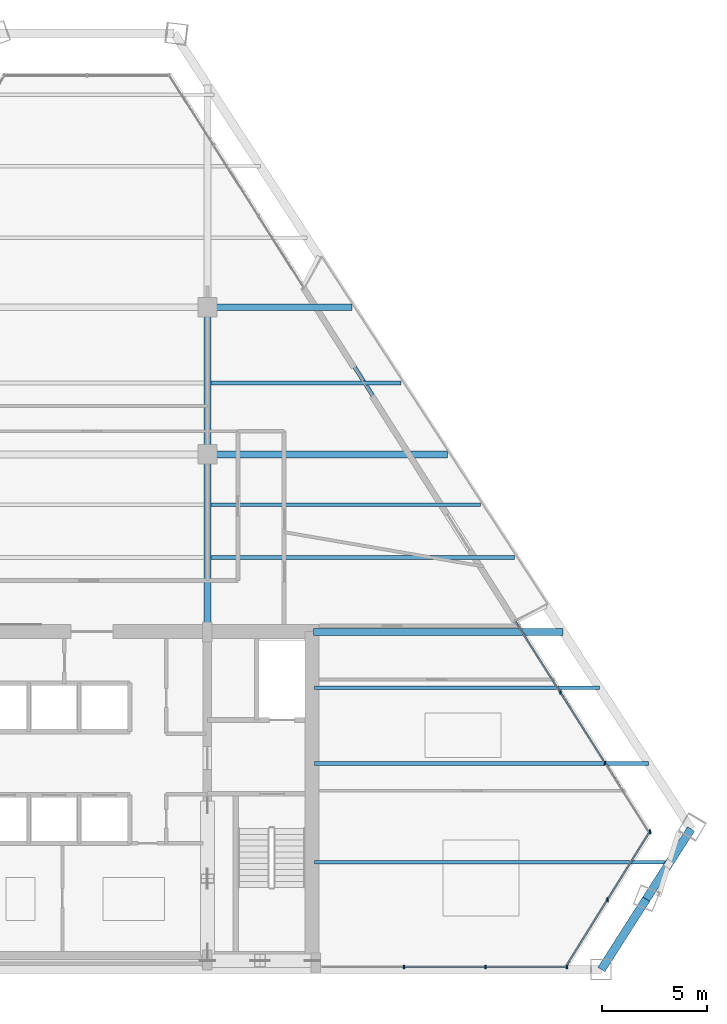
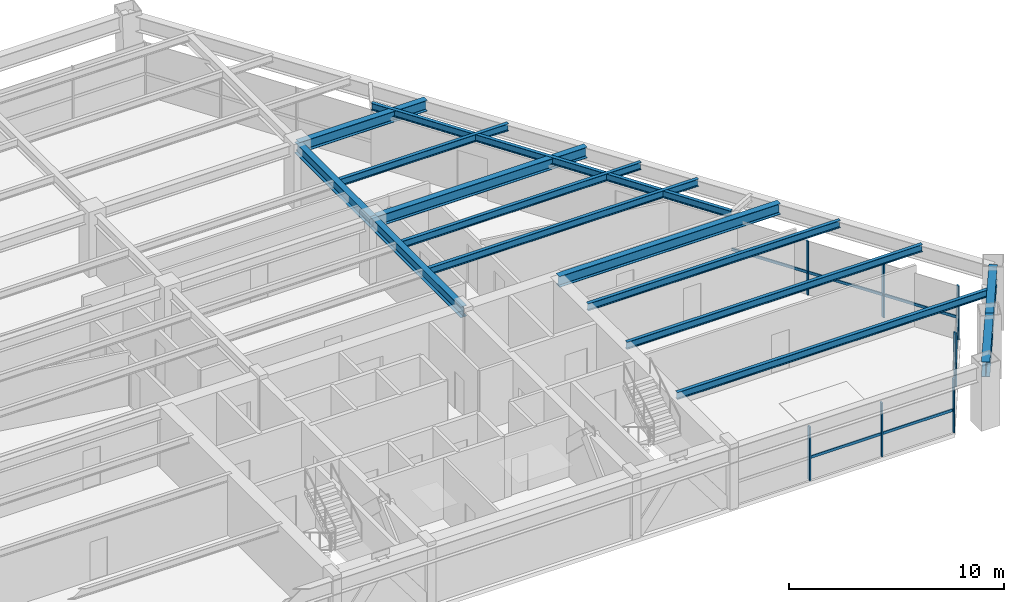
# One storey, part 6 of 15: 14 beams, 14 members, 3 elements without a shape of their own.
"""IFC4 building model written with IfcOpenShell, lengths in metres."""

from ifc_helpers import new_model, si_unit, direction, frame, origin, origin_2d, place, context, subcontext, project, spatial, rectangle, i_section, extrude, source, transform, mapped, material, material_profile, profile_set, type_object, type_shapes, element, aggregate, save


model = new_model("IFC4")

# Units and contexts
model_context = context("Model", 3, precision=1e-05, world=origin(), true_north=direction((0.0, 1.0)))
body_context = subcontext(model_context, "Body", "Model", "MODEL_VIEW")
ifc_project = project(units=[si_unit("LENGTHUNIT", "METRE"), si_unit("AREAUNIT", "SQUARE_METRE"), si_unit("VOLUMEUNIT", "CUBIC_METRE"), si_unit("PLANEANGLEUNIT", "RADIAN"), si_unit("MASSUNIT", "GRAM", prefix="KILO")], contexts=[model_context])

# Site, building, storey
site_placement = place(None, origin())
site = spatial("IfcSite", under=ifc_project, at=site_placement, CompositionType="ELEMENT")
building_placement = place(site_placement, origin())
building = spatial("IfcBuilding", under=site, at=building_placement, Name="Varnakhor Terracotta Tower", CompositionType="ELEMENT")
storey_placement = place(building_placement, frame((0.0, 0.0, 182.10009765625)))
storey = spatial("IfcBuildingStorey", under=building, at=storey_placement, Name="L46", CompositionType="ELEMENT", Elevation=182.10009765625)

# Beams
ifc_material_1 = material(Name="Steel S355", Category="steel")
ifc_material_profile_1 = material_profile(ifc_material_1, i_section(OverallWidth=0.324951171875, OverallDepth=0.615966796875, WebThickness=0.013916015625, FlangeThickness=0.02197265625, FilletRadius=0.01806640625, at=origin_2d()), Name="W24X117")
ifc_profile_set_1 = profile_set([ifc_material_profile_1], Name="Steel S355")
beam_type_1 = type_object("IfcBeamType", Name="BM-W24X117", PredefinedType="BEAM", material=ifc_profile_set_1)
shared_shape_1 = source(origin(), body_context, "Body", "SweptSolid", [
    extrude(i_section(OverallWidth=0.324951171875, OverallDepth=0.615966796875, WebThickness=0.013916015625, FlangeThickness=0.02197265625, FilletRadius=0.01806640625, at=origin_2d()), origin(), (0.0, 0.0, 1.0), 8.449951171875),
])
type_shapes(beam_type_1, [shared_shape_1])
beam_1_placement = place(storey_placement, frame((5.5, 16.050048828125, 3.161865234375), z_axis=(0.0, 1.0, 0.0), x_axis=(-1.0, 0.0, 0.0)))
element("IfcBeam", 1, at=beam_1_placement, inside=storey, type_object=beam_type_1, Name="L46 Primary Girder NS1-E", PredefinedType="BEAM", context=body_context, shape_type="MappedRepresentation", body=[
    mapped(shared_shape_1, transform((0.0, 0.0, 0.0), scale=1.0)),
])
shared_shape_2 = source(origin(), body_context, "Body", "SweptSolid", [
    extrude(i_section(OverallWidth=0.324951171875, OverallDepth=0.615966796875, WebThickness=0.013916015625, FlangeThickness=0.02197265625, FilletRadius=0.01806640625, at=origin_2d()), origin(), (0.0, 0.0, 1.0), 7.0),
])
beam_2_placement = place(storey_placement, frame((5.5, 24.5, 3.161865234375), z_axis=(0.0, 1.0, 0.0), x_axis=(-1.0, 0.0, 0.0)))
element("IfcBeam", 2, at=beam_2_placement, inside=storey, type_object=beam_type_1, Name="L46 Primary Girder NS2-E", PredefinedType="BEAM", context=body_context, shape_type="MappedRepresentation", body=[
    mapped(shared_shape_2, transform((0.0, 0.0, 0.0), scale=1.0)),
])
ifc_material_profile_2 = material_profile(ifc_material_1, i_section(OverallWidth=0.39990234375, OverallDepth=0.85498046875, WebThickness=0.01806640625, FlangeThickness=0.029052734375, FilletRadius=0.01806640625, at=origin_2d()), Name="W33X201")
ifc_profile_set_2 = profile_set([ifc_material_profile_2], Name="Steel S355")
beam_type_2 = type_object("IfcBeamType", Name="BM-W33X201", PredefinedType="BEAM", material=ifc_profile_set_2)
shared_shape_3 = source(origin(), body_context, "Body", "SweptSolid", [
    extrude(i_section(OverallWidth=0.39990234375, OverallDepth=0.85498046875, WebThickness=0.01806640625, FlangeThickness=0.029052734375, FilletRadius=0.01806640625, at=origin_2d()), origin(), (0.0, 0.0, 1.0), 3.96484375),
])
beam_3_placement = place(storey_placement, frame((24.23779296875, 0.0, 3.04248046875), z_axis=(0.5376323159, 0.843179395443, 0.0), x_axis=(-0.843179395443, 0.5376323159, 0.0)))
element("IfcBeam", 3, at=beam_3_placement, inside=storey, type_object=beam_type_2, Name="L46 Perimeter Spandrel 2", PredefinedType="BEAM", context=body_context, shape_type="MappedRepresentation", body=[
    mapped(shared_shape_3, transform((0.0, 0.0, 0.0), scale=1.0)),
])
shared_shape_4 = source(origin(), body_context, "Body", "SweptSolid", [
    extrude(i_section(OverallWidth=0.39990234375, OverallDepth=0.85498046875, WebThickness=0.01806640625, FlangeThickness=0.029052734375, FilletRadius=0.01806640625, at=origin_2d()), origin(), (0.0, 0.0, 1.0), 3.965087890625),
])
beam_4_placement = place(storey_placement, frame((26.369384765625, 3.343017578125, 3.04248046875), z_axis=(0.537648178704, 0.843169280712, 0.0), x_axis=(-0.843169280712, 0.537648178704, 0.0)))
element("IfcBeam", 4, at=beam_4_placement, inside=storey, type_object=beam_type_2, Name="L46 Perimeter Spandrel 3", PredefinedType="BEAM", context=body_context, shape_type="MappedRepresentation", body=[
    mapped(shared_shape_4, transform((0.0, 0.0, 0.0), scale=1.0)),
])
ifc_material_profile_3 = material_profile(ifc_material_1, i_section(OverallWidth=0.179931640625, OverallDepth=0.39990234375, WebThickness=0.008544921875, FlangeThickness=0.013427734375, FilletRadius=0.01806640625, at=origin_2d()), Name="IPE400")
ifc_profile_set_3 = profile_set([ifc_material_profile_3], Name="Steel S355")
beam_type_3 = type_object("IfcBeamType", Name="JST-IPE400", PredefinedType="JOIST", material=ifc_profile_set_3)
shared_shape_5 = source(origin(), body_context, "Body", "SweptSolid", [
    extrude(i_section(OverallWidth=0.179931640625, OverallDepth=0.39990234375, WebThickness=0.008544921875, FlangeThickness=0.013427734375, FilletRadius=0.01806640625, at=origin_2d()), origin(), (0.0, 0.0, 1.0), 18.87548828125),
])
beam_5_placement = place(storey_placement, frame((20.161865234375, 16.551513671875, 3.27001953125), z_axis=(-0.535132700445, 0.844768011299, 0.0), x_axis=(-0.844768011299, -0.535132700445, 0.0)))
element("IfcBeam", 5, at=beam_5_placement, inside=storey, type_object=beam_type_3, Name="L46 Loggia Edge Beam 1", PredefinedType="JOIST", context=body_context, shape_type="MappedRepresentation", body=[
    mapped(shared_shape_5, transform((0.0, 0.0, 0.0), scale=1.0)),
])
shared_shape_6 = source(origin(), body_context, "Body", "SweptSolid", [
    extrude(i_section(OverallWidth=0.324951171875, OverallDepth=0.615966796875, WebThickness=0.013916015625, FlangeThickness=0.02197265625, FilletRadius=0.01806640625, at=origin_2d()), origin(), (0.0, 0.0, 1.0), 11.86572265625),
])
beam_6_placement = place(storey_placement, frame((10.550048828125, 16.050048828125, 3.161865234375), z_axis=(1.0, 0.0, 0.0), x_axis=(0.0, 1.0, 0.0)))
element("IfcBeam", 6, at=beam_6_placement, inside=storey, type_object=beam_type_1, Name="L46 Wing Girder E", PredefinedType="BEAM", context=body_context, shape_type="MappedRepresentation", body=[
    mapped(shared_shape_6, transform((0.0, 0.0, 0.0), scale=1.0)),
])
shared_shape_7 = source(origin(), body_context, "Body", "SweptSolid", [
    extrude(i_section(OverallWidth=0.324951171875, OverallDepth=0.615966796875, WebThickness=0.013916015625, FlangeThickness=0.02197265625, FilletRadius=0.01806640625, at=origin_2d()), origin(), (0.0, 0.0, 1.0), 11.42431640625),
])
beam_7_placement = place(storey_placement, frame((5.5, 24.5, 3.161865234375), z_axis=(1.0, 0.0, 0.0), x_axis=(0.0, 1.0, 0.0)))
element("IfcBeam", 7, at=beam_7_placement, inside=storey, type_object=beam_type_1, Name="L46 Primary Girder EW2-3", PredefinedType="BEAM", context=body_context, shape_type="MappedRepresentation", body=[
    mapped(shared_shape_7, transform((0.0, 0.0, 0.0), scale=1.0)),
])
shared_shape_8 = source(origin(), body_context, "Body", "SweptSolid", [
    extrude(i_section(OverallWidth=0.324951171875, OverallDepth=0.615966796875, WebThickness=0.013916015625, FlangeThickness=0.02197265625, FilletRadius=0.01806640625, at=origin_2d()), origin(), (0.0, 0.0, 1.0), 6.875),
])
beam_8_placement = place(storey_placement, frame((5.5, 31.5, 3.161865234375), z_axis=(1.0, 0.0, 0.0), x_axis=(0.0, 1.0, 0.0)))
element("IfcBeam", 8, at=beam_8_placement, inside=storey, type_object=beam_type_1, Name="L46 Primary Girder EW3-3", PredefinedType="BEAM", context=body_context, shape_type="MappedRepresentation", body=[
    mapped(shared_shape_8, transform((0.0, 0.0, 0.0), scale=1.0)),
])
ifc_material_profile_4 = material_profile(ifc_material_1, i_section(OverallWidth=0.179931640625, OverallDepth=0.4130859375, WebThickness=0.009765625, FlangeThickness=0.01611328125, FilletRadius=0.01806640625, at=origin_2d()), Name="W16X50")
ifc_profile_set_4 = profile_set([ifc_material_profile_4], Name="Steel S355")
beam_type_4 = type_object("IfcBeamType", Name="JST-W16X50", PredefinedType="JOIST", material=ifc_profile_set_4)
shared_shape_9 = source(origin(), body_context, "Body", "SweptSolid", [
    extrude(i_section(OverallWidth=0.179931640625, OverallDepth=0.4130859375, WebThickness=0.009765625, FlangeThickness=0.01611328125, FilletRadius=0.01806640625, at=origin_2d()), origin(), (0.0, 0.0, 1.0), 16.8896484375),
])
beam_9_placement = place(storey_placement, frame((10.60009765625, 5.10009765625, 3.263427734375), z_axis=(1.0, 0.0, 0.0), x_axis=(0.0, 1.0, 0.0)))
element("IfcBeam", 9, at=beam_9_placement, inside=storey, type_object=beam_type_4, Name="L46 Floor Joist E1", PredefinedType="JOIST", context=body_context, shape_type="MappedRepresentation", body=[
    mapped(shared_shape_9, transform((0.0, 0.0, 0.0), scale=1.0)),
])
shared_shape_10 = source(origin(), body_context, "Body", "SweptSolid", [
    extrude(i_section(OverallWidth=0.179931640625, OverallDepth=0.4130859375, WebThickness=0.009765625, FlangeThickness=0.01611328125, FilletRadius=0.01806640625, at=origin_2d()), origin(), (0.0, 0.0, 1.0), 15.87744140625),
])
beam_10_placement = place(storey_placement, frame((10.60009765625, 9.800048828125, 3.263427734375), z_axis=(1.0, 0.0, 0.0), x_axis=(0.0, 1.0, 0.0)))
element("IfcBeam", 10, at=beam_10_placement, inside=storey, type_object=beam_type_4, Name="L46 Floor Joist E2", PredefinedType="JOIST", context=body_context, shape_type="MappedRepresentation", body=[
    mapped(shared_shape_10, transform((0.0, 0.0, 0.0), scale=1.0)),
])
shared_shape_11 = source(origin(), body_context, "Body", "SweptSolid", [
    extrude(i_section(OverallWidth=0.179931640625, OverallDepth=0.4130859375, WebThickness=0.009765625, FlangeThickness=0.01611328125, FilletRadius=0.01806640625, at=origin_2d()), origin(), (0.0, 0.0, 1.0), 13.537841796875),
])
beam_11_placement = place(storey_placement, frame((10.60009765625, 13.39990234375, 3.263427734375), z_axis=(1.0, 0.0, 0.0), x_axis=(0.0, 1.0, 0.0)))
element("IfcBeam", 11, at=beam_11_placement, inside=storey, type_object=beam_type_4, Name="L46 Floor Joist E3", PredefinedType="JOIST", context=body_context, shape_type="MappedRepresentation", body=[
    mapped(shared_shape_11, transform((0.0, 0.0, 0.0), scale=1.0)),
])
shared_shape_12 = source(origin(), body_context, "Body", "SweptSolid", [
    extrude(i_section(OverallWidth=0.179931640625, OverallDepth=0.4130859375, WebThickness=0.009765625, FlangeThickness=0.01611328125, FilletRadius=0.01806640625, at=origin_2d()), origin(), (0.0, 0.0, 1.0), 14.4501953125),
])
beam_12_placement = place(storey_placement, frame((5.658447265625, 19.60009765625, 3.263427734375), z_axis=(1.0, 0.0, 0.0), x_axis=(0.0, 1.0, 0.0)))
element("IfcBeam", 12, at=beam_12_placement, inside=storey, type_object=beam_type_4, Name="L46 Composite Floor Joist 4-3", PredefinedType="JOIST", context=body_context, shape_type="MappedRepresentation", body=[
    mapped(shared_shape_12, transform((0.0, 0.0, 0.0), scale=1.0)),
])
shared_shape_13 = source(origin(), body_context, "Body", "SweptSolid", [
    extrude(i_section(OverallWidth=0.179931640625, OverallDepth=0.4130859375, WebThickness=0.009765625, FlangeThickness=0.01611328125, FilletRadius=0.01806640625, at=origin_2d()), origin(), (0.0, 0.0, 1.0), 12.825439453125),
])
beam_13_placement = place(storey_placement, frame((5.658447265625, 22.10009765625, 3.263427734375), z_axis=(1.0, 0.0, 0.0), x_axis=(0.0, 1.0, 0.0)))
element("IfcBeam", 13, at=beam_13_placement, inside=storey, type_object=beam_type_4, Name="L46 Composite Floor Joist 5-3", PredefinedType="JOIST", context=body_context, shape_type="MappedRepresentation", body=[
    mapped(shared_shape_13, transform((0.0, 0.0, 0.0), scale=1.0)),
])
shared_shape_14 = source(origin(), body_context, "Body", "SweptSolid", [
    extrude(i_section(OverallWidth=0.179931640625, OverallDepth=0.4130859375, WebThickness=0.009765625, FlangeThickness=0.01611328125, FilletRadius=0.01806640625, at=origin_2d()), origin(), (0.0, 0.0, 1.0), 9.05615234375),
])
beam_14_placement = place(storey_placement, frame((5.658447265625, 27.89990234375, 3.263427734375), z_axis=(1.0, 0.0, 0.0), x_axis=(0.0, 1.0, 0.0)))
element("IfcBeam", 14, at=beam_14_placement, inside=storey, type_object=beam_type_4, Name="L46 Composite Floor Joist 6-3", PredefinedType="JOIST", context=body_context, shape_type="MappedRepresentation", body=[
    mapped(shared_shape_14, transform((0.0, 0.0, 0.0), scale=1.0)),
])

# Curtain wall, members
ifc_material_2 = material(Name="Anodised Aluminium Curtain Wall System", Category="aluminium")
curtain_wall_type = type_object("IfcCurtainWallType", Name="CW-SYS-MID-OFFICE", PredefinedType="NOTDEFINED", material=ifc_material_2)
curtain_wall_1_placement = place(storey_placement, origin())
curtain_wall_1 = element("IfcCurtainWall", 15, at=curtain_wall_1_placement, inside=storey, type_object=curtain_wall_type, Name="L46 E Facet Curtain Wall 2", PredefinedType="NOTDEFINED")
ifc_material_3 = material(Name="Anodised Aluminium 6063-T6", Category="aluminium")
ifc_material_profile_5 = material_profile(ifc_material_3, rectangle(XDim=0.070068359375, YDim=0.175048828125, at=origin_2d()), Name="ALU MULLION 70x175")
ifc_profile_set_5 = profile_set([ifc_material_profile_5], Name="Anodised Aluminium 6063-T6")
member_type_1 = type_object("IfcMemberType", Name="CWM-03", PredefinedType="MULLION", material=ifc_profile_set_5)
shared_shape_15 = source(origin(), body_context, "Body", "SweptSolid", [
    extrude(rectangle(XDim=0.070068359375, YDim=0.175048828125, at=origin_2d()), origin(), (0.0, 0.0, 1.0), 3.0498046875),
])
type_shapes(member_type_1, [shared_shape_15])
member_1_placement = place(storey_placement, frame((22.28759765625, 13.17919921875, 0.0), z_axis=(0.0, 0.0, 1.0), x_axis=(1.0, 0.0, 0.0)))
member_1 = element("IfcMember", 16, at=member_1_placement, type_object=member_type_1, Name="L46 E Facet Curtain Wall 2 Mullion 2", PredefinedType="MULLION", context=body_context, shape_type="MappedRepresentation", body=[
    mapped(shared_shape_15, transform((0.0, 0.0, 0.0), scale=1.0)),
])
member_2_placement = place(storey_placement, frame((24.413818359375, 9.82470703125, 0.0), z_axis=(0.0, 0.0, 1.0), x_axis=(1.0, 0.0, 0.0)))
member_2 = element("IfcMember", 17, at=member_2_placement, type_object=member_type_1, Name="L46 E Facet Curtain Wall 2 Mullion 3", PredefinedType="MULLION", context=body_context, shape_type="MappedRepresentation", body=[
    mapped(shared_shape_15, transform((0.0, 0.0, 0.0), scale=1.0)),
])

curtain_wall_2_placement = place(storey_placement, origin())
curtain_wall_2 = element("IfcCurtainWall", 18, at=curtain_wall_2_placement, inside=storey, type_object=curtain_wall_type, Name="L46 Facet Curtain Wall 4", PredefinedType="NOTDEFINED")
member_3_placement = place(storey_placement, frame((26.539794921875, 6.547119140625, 0.0), z_axis=(0.0, 0.0, 1.0), x_axis=(1.0, 0.0, 0.0)))
member_3 = element("IfcMember", 19, at=member_3_placement, type_object=member_type_1, Name="L46 Facet Curtain Wall 4 Mullion 1", PredefinedType="MULLION", context=body_context, shape_type="MappedRepresentation", body=[
    mapped(shared_shape_15, transform((0.0, 0.0, 0.0), scale=1.0)),
])
member_4_placement = place(storey_placement, frame((24.52783203125, 3.318115234375, 0.0), z_axis=(0.0, 0.0, 1.0), x_axis=(1.0, 0.0, 0.0)))
member_4 = element("IfcMember", 20, at=member_4_placement, type_object=member_type_1, Name="L46 Facet Curtain Wall 4 Mullion 2", PredefinedType="MULLION", context=body_context, shape_type="MappedRepresentation", body=[
    mapped(shared_shape_15, transform((0.0, 0.0, 0.0), scale=1.0)),
])

curtain_wall_3_placement = place(storey_placement, origin())
curtain_wall_3 = element("IfcCurtainWall", 21, at=curtain_wall_3_placement, inside=storey, type_object=curtain_wall_type, Name="L46 South Wing Curtain Wall SSE", PredefinedType="NOTDEFINED")
member_5_placement = place(storey_placement, frame((22.591552734375, 0.1201171875, 0.0), z_axis=(0.0, 0.0, 1.0), x_axis=(1.0, 0.0, 0.0)))
member_5 = element("IfcMember", 22, at=member_5_placement, type_object=member_type_1, Name="L46 South Wing Curtain Wall SSE Mullion 1", PredefinedType="MULLION", context=body_context, shape_type="MappedRepresentation", body=[
    mapped(shared_shape_15, transform((0.0, 0.0, 0.0), scale=1.0)),
])
member_6_placement = place(storey_placement, frame((18.7177734375, 0.1201171875, 0.0), z_axis=(0.0, 0.0, 1.0), x_axis=(1.0, 0.0, 0.0)))
member_6 = element("IfcMember", 23, at=member_6_placement, type_object=member_type_1, Name="L46 South Wing Curtain Wall SSE Mullion 2", PredefinedType="MULLION", context=body_context, shape_type="MappedRepresentation", body=[
    mapped(shared_shape_15, transform((0.0, 0.0, 0.0), scale=1.0)),
])
member_7_placement = place(storey_placement, frame((14.843994140625, 0.1201171875, 0.0), z_axis=(0.0, 0.0, 1.0), x_axis=(1.0, 0.0, 0.0)))
member_7 = element("IfcMember", 24, at=member_7_placement, type_object=member_type_1, Name="L46 South Wing Curtain Wall SSE Mullion 3", PredefinedType="MULLION", context=body_context, shape_type="MappedRepresentation", body=[
    mapped(shared_shape_15, transform((0.0, 0.0, 0.0), scale=1.0)),
])

# Member
ifc_material_profile_6 = material_profile(ifc_material_3, rectangle(XDim=0.070068359375, YDim=0.155029296875, at=origin_2d()), Name="ALU TRANSOM 70x155")
ifc_profile_set_6 = profile_set([ifc_material_profile_6], Name="Anodised Aluminium 6063-T6")
member_type_2 = type_object("IfcMemberType", Name="CWT-03", PredefinedType="USERDEFINED", material=ifc_profile_set_6)
shared_shape_16 = source(origin(), body_context, "Body", "SweptSolid", [
    extrude(rectangle(XDim=0.070068359375, YDim=0.155029296875, at=origin_2d()), origin(), (0.0, 0.0, 1.0), 3.9716796875),
])
member_8_placement = place(storey_placement, frame((20.161376953125, 16.533935546875, 1.281005859375), z_axis=(0.535331366733, -0.844642130012, 0.0), x_axis=(0.844642130012, 0.535331366733, 0.0)))
member_8 = element("IfcMember", 25, at=member_8_placement, type_object=member_type_2, Name="L46 E Facet Curtain Wall 2 Transom 1", ObjectType="TRANSOM", PredefinedType="USERDEFINED", context=body_context, shape_type="MappedRepresentation", body=[
    mapped(shared_shape_16, transform((0.0, 0.0, 0.0), scale=1.0)),
])

member_9_placement = place(storey_placement, frame((22.28759765625, 13.17919921875, 1.281005859375), z_axis=(0.535359161808, -0.844624512945, 0.0), x_axis=(0.844624512945, 0.535359161808, 0.0)))
member_9 = element("IfcMember", 26, at=member_9_placement, type_object=member_type_2, Name="L46 E Facet Curtain Wall 2 Transom 2", ObjectType="TRANSOM", PredefinedType="USERDEFINED", context=body_context, shape_type="MappedRepresentation", body=[
    mapped(shared_shape_16, transform((0.0, 0.0, 0.0), scale=1.0)),
])

member_10_placement = place(storey_placement, frame((24.413818359375, 9.82470703125, 1.281005859375), z_axis=(0.535403013148, -0.844596716494, 0.0), x_axis=(0.844596716494, 0.535403013148, 0.0)))
member_10 = element("IfcMember", 27, at=member_10_placement, type_object=member_type_2, Name="L46 E Facet Curtain Wall 2 Transom 3", ObjectType="TRANSOM", PredefinedType="USERDEFINED", context=body_context, shape_type="MappedRepresentation", body=[
    mapped(shared_shape_16, transform((0.0, 0.0, 0.0), scale=1.0)),
])

aggregate(curtain_wall_1, [member_8, member_1, member_9, member_2, member_10])

shared_shape_17 = source(origin(), body_context, "Body", "SweptSolid", [
    extrude(rectangle(XDim=0.070068359375, YDim=0.155029296875, at=origin_2d()), origin(), (0.0, 0.0, 1.0), 3.804443359375),
])
member_11_placement = place(storey_placement, frame((26.539794921875, 6.547119140625, 1.281005859375), z_axis=(-0.528833267259, -0.84872573629, 0.0), x_axis=(0.84872573629, -0.528833267259, 0.0)))
member_11 = element("IfcMember", 28, at=member_11_placement, type_object=member_type_2, Name="L46 Facet Curtain Wall 4 Transom 1", ObjectType="TRANSOM", PredefinedType="USERDEFINED", context=body_context, shape_type="MappedRepresentation", body=[
    mapped(shared_shape_17, transform((0.0, 0.0, 0.0), scale=1.0)),
])

shared_shape_18 = source(origin(), body_context, "Body", "SweptSolid", [
    extrude(rectangle(XDim=0.070068359375, YDim=0.155029296875, at=origin_2d()), origin(), (0.0, 0.0, 1.0), 3.804931640625),
])
member_12_placement = place(storey_placement, frame((24.52783203125, 3.318115234375, 1.281005859375), z_axis=(-0.528850688098, -0.848714881275, 0.0), x_axis=(0.848714881275, -0.528850688098, 0.0)))
member_12 = element("IfcMember", 29, at=member_12_placement, type_object=member_type_2, Name="L46 Facet Curtain Wall 4 Transom 2", ObjectType="TRANSOM", PredefinedType="USERDEFINED", context=body_context, shape_type="MappedRepresentation", body=[
    mapped(shared_shape_18, transform((0.0, 0.0, 0.0), scale=1.0)),
])

aggregate(curtain_wall_2, [member_3, member_11, member_4, member_12])

shared_shape_19 = source(origin(), body_context, "Body", "SweptSolid", [
    extrude(rectangle(XDim=0.070068359375, YDim=0.155029296875, at=origin_2d()), origin(), (0.0, 0.0, 1.0), 3.873779296875),
])
member_13_placement = place(storey_placement, frame((22.591552734375, 0.1201171875, 1.281005859375), z_axis=(-1.0, 0.0, 0.0), x_axis=(0.0, -1.0, 0.0)))
member_13 = element("IfcMember", 30, at=member_13_placement, type_object=member_type_2, Name="L46 South Wing Curtain Wall SSE Transom 1", ObjectType="TRANSOM", PredefinedType="USERDEFINED", context=body_context, shape_type="MappedRepresentation", body=[
    mapped(shared_shape_19, transform((0.0, 0.0, 0.0), scale=1.0)),
])

member_14_placement = place(storey_placement, frame((18.7177734375, 0.1201171875, 1.281005859375), z_axis=(-1.0, 0.0, 0.0), x_axis=(0.0, -1.0, 0.0)))
member_14 = element("IfcMember", 31, at=member_14_placement, type_object=member_type_2, Name="L46 South Wing Curtain Wall SSE Transom 2", ObjectType="TRANSOM", PredefinedType="USERDEFINED", context=body_context, shape_type="MappedRepresentation", body=[
    mapped(shared_shape_19, transform((0.0, 0.0, 0.0), scale=1.0)),
])

aggregate(curtain_wall_3, [member_5, member_13, member_6, member_14, member_7])

save(model, "model.ifc")
